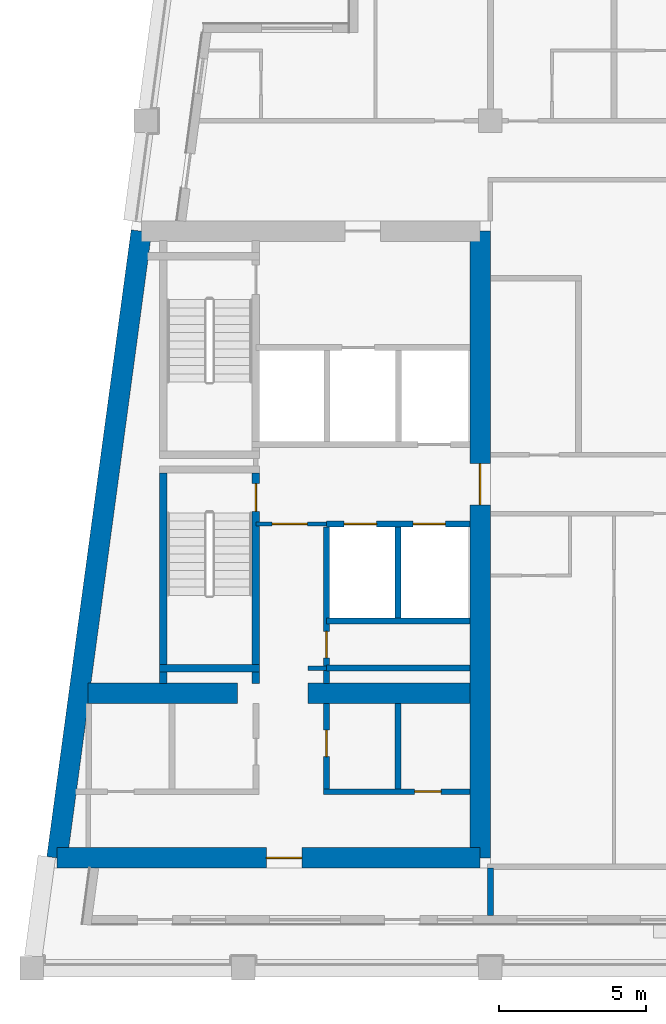
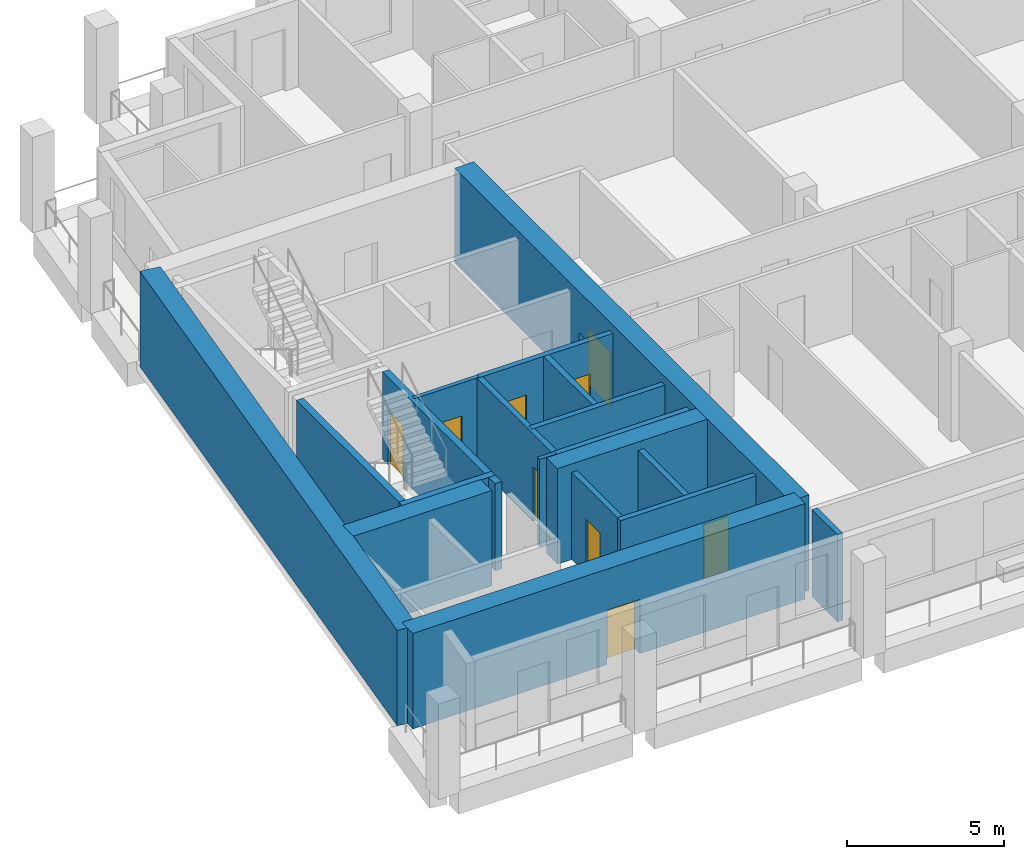
# One storey, part 2 of 13: 19 walls, 9 doors, 9 openings.
"""IFC4 building model written with IfcOpenShell, lengths in metres."""

from ifc_helpers import new_model, si_unit, direction, frame, frame_2d, origin, place, context, subcontext, project, spatial, rectangle, extrude, material, layer, layer_set, type_object, element, fill, save


model = new_model("IFC4")

# Units and contexts
model_context = context("Model", 3, precision=1e-05, world=origin(), true_north=direction((0.0, 1.0)))
body_context = subcontext(model_context, "Body", "Model", "MODEL_VIEW")
ifc_project = project(units=[si_unit("LENGTHUNIT", "METRE"), si_unit("AREAUNIT", "SQUARE_METRE"), si_unit("VOLUMEUNIT", "CUBIC_METRE"), si_unit("PLANEANGLEUNIT", "RADIAN"), si_unit("MASSUNIT", "GRAM", prefix="KILO")], contexts=[model_context])

# Site, building, storey
site_placement = place(None, origin())
site = spatial("IfcSite", under=ifc_project, at=site_placement, CompositionType="ELEMENT")
building_placement = place(site_placement, origin())
building = spatial("IfcBuilding", under=site, at=building_placement, Name="Candeia Pilgrim Tower and Theatre", CompositionType="ELEMENT")
storey_placement = place(building_placement, frame((0.0, 0.0, 277.5)))
storey = spatial("IfcBuildingStorey", under=building, at=storey_placement, Name="L67", CompositionType="ELEMENT", Elevation=277.5)

# Wall, opening, door
ifc_material_1 = material(Name="Concrete C40/50", Category="concrete")
ifc_layer_1 = layer(ifc_material_1, 0.699951171875)
ifc_layer_set_1 = layer_set([ifc_layer_1], Name="Core wall 700 C40/50")
wall_type_1 = type_object("IfcWallType", Name="Core wall 700 C40/50", PredefinedType="SHEAR", material=ifc_layer_set_1)
wall_1_placement = place(storey_placement, frame((100.449951171875, 132.050048828125, 0.0), z_axis=(0.0, 0.0, 1.0), x_axis=(0.0, -1.0, 0.0)))
wall_1 = element("IfcWall", 1, at=wall_1_placement, inside=storey, type_object=wall_type_1, Name="Core wall W2", PredefinedType="SHEAR", context=body_context, shape_type="SweptSolid", body=[
    extrude(rectangle(XDim=21.300048828125, YDim=0.699951171875, at=frame_2d((10.64990234375, 0.0))), origin(), (0.0, 0.0, 1.0), 3.699951171875),
])
opening_1_placement = place(wall_1_placement, frame((7.89990234375, 0.0, 0.0)))
opening_1 = element("IfcOpeningElement", 2, at=opening_1_placement, cuts=wall_1, Name="Opening L67-D049", PredefinedType="OPENING", context=body_context, shape_type="SweptSolid", body=[
    extrude(rectangle(XDim=1.39990234375, YDim=2.10009765625, at=frame_2d((0.699951171875, 1.050048828125))), frame((0.0, 0.35986328125, 0.0), z_axis=(0.0, -1.0, 0.0), x_axis=(1.0, 0.0, 0.0)), (0.0, 0.0, 1.0), 0.719970703125),
])
ifc_material_2 = material(Name="Steel fire door set", Category="steel")
door_type_1 = type_object("IfcDoorType", Name="D-1400-FD60", OperationType="NOTDEFINED", PredefinedType="DOOR", material=ifc_material_2)
door_1_placement = place(opening_1_placement, origin())
door_1 = element("IfcDoor", 3, at=door_1_placement, inside=storey, type_object=door_type_1, Name="Door L67-D049", OperationType="SINGLE_SWING_RIGHT", OverallHeight=2.10009765625, OverallWidth=1.39990234375, PredefinedType="DOOR", context=body_context, shape_type="SweptSolid", body=[
    extrude(rectangle(XDim=1.39990234375, YDim=2.10009765625, at=frame_2d((0.699951171875, 1.050048828125))), frame((0.0, 0.02490234375, 0.0), z_axis=(0.0, -1.0, 0.0), x_axis=(1.0, 0.0, 0.0)), (0.0, 0.0, 1.0), 0.050048828125),
])
fill(opening_1, door_1)

wall_2_placement = place(storey_placement, frame((100.449951171875, 110.75, 0.0), z_axis=(0.0, 0.0, 1.0), x_axis=(-1.0, 0.0, 0.0)))
wall_2 = element("IfcWall", 4, at=wall_2_placement, inside=storey, type_object=wall_type_1, Name="Core wall W3", PredefinedType="SHEAR", context=body_context, shape_type="SweptSolid", body=[
    extrude(rectangle(XDim=14.38037109375, YDim=0.699951171875, at=frame_2d((7.190185546875, 0.0))), origin(), (0.0, 0.0, 1.0), 3.699951171875),
])
opening_2_placement = place(wall_2_placement, frame((6.060302734375, 0.0, 0.0)))
opening_2 = element("IfcOpeningElement", 5, at=opening_2_placement, cuts=wall_2, Name="Opening L67-D046", PredefinedType="OPENING", context=body_context, shape_type="SweptSolid", body=[
    extrude(rectangle(XDim=1.199951171875, YDim=2.10009765625, at=frame_2d((0.60009765625, 1.050048828125))), frame((0.0, 0.35986328125, 0.0), z_axis=(0.0, -1.0, 0.0), x_axis=(1.0, 0.0, 0.0)), (0.0, 0.0, 1.0), 0.719970703125),
])
door_type_2 = type_object("IfcDoorType", Name="D-1200-FD60", OperationType="NOTDEFINED", PredefinedType="DOOR", material=ifc_material_2)
door_2_placement = place(opening_2_placement, origin())
door_2 = element("IfcDoor", 6, at=door_2_placement, inside=storey, type_object=door_type_2, Name="Door L67-D046", OperationType="SINGLE_SWING_LEFT", OverallHeight=2.10009765625, OverallWidth=1.199951171875, PredefinedType="DOOR", context=body_context, shape_type="SweptSolid", body=[
    extrude(rectangle(XDim=1.199951171875, YDim=2.10009765625, at=frame_2d((0.60009765625, 1.050048828125))), frame((0.0, 0.02490234375, 0.0), z_axis=(0.0, -1.0, 0.0), x_axis=(1.0, 0.0, 0.0)), (0.0, 0.0, 1.0), 0.050048828125),
])
fill(opening_2, door_2)

# Walls
wall_3_placement = place(storey_placement, frame((86.069580078125, 110.75, 0.0), z_axis=(0.0, 0.0, 1.0), x_axis=(0.133406218907, 0.991061441464, 0.0)))
element("IfcWall", 7, at=wall_3_placement, inside=storey, type_object=wall_type_1, Name="Core wall W4", PredefinedType="SHEAR", context=body_context, shape_type="SweptSolid", body=[
    extrude(rectangle(XDim=21.4921875, YDim=0.699951171875, at=frame_2d((10.74609375, 0.0))), origin(), (0.0, 0.0, 1.0), 3.699951171875),
])
wall_4_placement = place(storey_placement, frame((87.123046875, 116.35009765625, 0.0), z_axis=(0.0, 0.0, 1.0), x_axis=(1.0, 0.0, 0.0)))
element("IfcWall", 8, at=wall_4_placement, inside=storey, type_object=wall_type_1, Name="Core wall W5", PredefinedType="SHEAR", context=body_context, shape_type="SweptSolid", body=[
    extrude(rectangle(XDim=5.076904296875, YDim=0.699951171875, at=frame_2d((2.53857421875, 0.0))), origin(), (0.0, 0.0, 1.0), 3.699951171875),
])
wall_5_placement = place(storey_placement, frame((94.60009765625, 116.35009765625, 0.0), z_axis=(0.0, 0.0, 1.0), x_axis=(1.0, 0.0, 0.0)))
element("IfcWall", 9, at=wall_5_placement, inside=storey, type_object=wall_type_1, Name="Core wall W6", PredefinedType="SHEAR", context=body_context, shape_type="SweptSolid", body=[
    extrude(rectangle(XDim=5.5, YDim=0.699951171875, at=frame_2d((2.75, 0.0))), origin(), (0.0, 0.0, 1.0), 3.699951171875),
])
ifc_material_3 = material(Name="Gypsum board partition on steel studs", Category="steel")
ifc_layer_2 = layer(ifc_material_3, 0.14990234375)
ifc_layer_set_2 = layer_set([ifc_layer_2], Name="PW-150 lobby wall")
wall_type_2 = type_object("IfcWallType", Name="PW-150 lobby wall", PredefinedType="PARTITIONING", material=ifc_layer_set_2)
wall_6_placement = place(storey_placement, frame((94.60009765625, 117.199951171875, 0.0), z_axis=(0.0, 0.0, 1.0), x_axis=(1.0, 0.0, 0.0)))
element("IfcWall", 10, at=wall_6_placement, inside=storey, type_object=wall_type_2, Name="Lobby wall L67-008", PredefinedType="PARTITIONING", context=body_context, shape_type="SweptSolid", body=[
    extrude(rectangle(XDim=0.626953125, YDim=0.14990234375, at=frame_2d((0.3134765625, 0.0))), origin(), (0.0, 0.0, 1.0), 3.3798828125),
])

# Wall, opening, door
wall_7_placement = place(storey_placement, frame((92.826904296875, 122.10009765625, 0.0), z_axis=(0.0, 0.0, 1.0), x_axis=(1.0, 0.0, 0.0)))
wall_7 = element("IfcWall", 11, at=wall_7_placement, inside=storey, type_object=wall_type_2, Name="Lobby wall L67-021", PredefinedType="PARTITIONING", context=body_context, shape_type="SweptSolid", body=[
    extrude(rectangle(XDim=2.400146484375, YDim=0.14990234375, at=frame_2d((1.2001953125, 0.0))), origin(), (0.0, 0.0, 1.0), 3.3798828125),
])
opening_3_placement = place(wall_7_placement, frame((0.550048828125, 0.0, 0.0)))
opening_3 = element("IfcOpeningElement", 12, at=opening_3_placement, cuts=wall_7, Name="Opening L67-D001", PredefinedType="OPENING", context=body_context, shape_type="SweptSolid", body=[
    extrude(rectangle(XDim=1.199951171875, YDim=2.10009765625, at=frame_2d((0.60009765625, 1.050048828125))), frame((0.0, 0.0849609375, 0.0), z_axis=(0.0, -1.0, 0.0), x_axis=(1.0, 0.0, 0.0)), (0.0, 0.0, 1.0), 0.169921875),
])
door_3_placement = place(opening_3_placement, origin())
door_3 = element("IfcDoor", 13, at=door_3_placement, inside=storey, type_object=door_type_2, Name="Door L67-D001", OperationType="SINGLE_SWING_RIGHT", OverallHeight=2.10009765625, OverallWidth=1.199951171875, PredefinedType="DOOR", context=body_context, shape_type="SweptSolid", body=[
    extrude(rectangle(XDim=1.199951171875, YDim=2.10009765625, at=frame_2d((0.60009765625, 1.050048828125))), frame((0.0, 0.02490234375, 0.0), z_axis=(0.0, -1.0, 0.0), x_axis=(1.0, 0.0, 0.0)), (0.0, 0.0, 1.0), 0.050048828125),
])
fill(opening_3, door_3)

# Wall
ifc_layer_3 = layer(ifc_material_3, 0.199951171875)
ifc_layer_set_3 = layer_set([ifc_layer_3], Name="PW-200 party wall")
wall_type_3 = type_object("IfcWallType", Name="PW-200 party wall", PredefinedType="PARTITIONING", material=ifc_layer_set_3)
wall_8_placement = place(storey_placement, frame((100.800048828125, 108.7900390625, 0.0), z_axis=(0.0, 0.0, 1.0), x_axis=(0.0, 1.0, 0.0)))
element("IfcWall", 14, at=wall_8_placement, inside=storey, type_object=wall_type_3, Name="Party wall L67-061", PredefinedType="PARTITIONING", context=body_context, shape_type="SweptSolid", body=[
    extrude(rectangle(XDim=1.60986328125, YDim=0.199951171875, at=frame_2d((0.804931640625, 0.0))), origin(), (0.0, 0.0, 1.0), 3.3798828125),
])

# Wall, opening, door
ifc_layer_4 = layer(ifc_material_1, 0.199951171875)
ifc_layer_set_4 = layer_set([ifc_layer_4], Name="SW-200 shaft wall")
wall_type_4 = type_object("IfcWallType", Name="SW-200 shaft wall", PredefinedType="PARTITIONING", material=ifc_layer_set_4)
wall_9_placement = place(storey_placement, frame((95.126953125, 113.0, 0.0), z_axis=(0.0, 0.0, 1.0), x_axis=(1.0, 0.0, 0.0)))
wall_9 = element("IfcWall", 15, at=wall_9_placement, inside=storey, type_object=wall_type_4, Name="Shaft wall L67-003", PredefinedType="PARTITIONING", context=body_context, shape_type="SweptSolid", body=[
    extrude(rectangle(XDim=4.97314453125, YDim=0.199951171875, at=frame_2d((2.486572265625, 0.0))), origin(), (0.0, 0.0, 1.0), 3.3798828125),
])
opening_4_placement = place(wall_9_placement, frame((3.095947265625, 0.0, 0.0)))
opening_4 = element("IfcOpeningElement", 16, at=opening_4_placement, cuts=wall_9, Name="Opening L67-D008", PredefinedType="OPENING", context=body_context, shape_type="SweptSolid", body=[
    extrude(rectangle(XDim=0.89990234375, YDim=2.10009765625, at=frame_2d((0.449951171875, 1.050048828125))), frame((0.0, 0.10986328125, 0.0), z_axis=(0.0, -1.0, 0.0), x_axis=(1.0, 0.0, 0.0)), (0.0, 0.0, 1.0), 0.219970703125),
])
door_type_3 = type_object("IfcDoorType", Name="D-900-FD60", OperationType="NOTDEFINED", PredefinedType="DOOR", material=ifc_material_2)
door_4_placement = place(opening_4_placement, origin())
door_4 = element("IfcDoor", 17, at=door_4_placement, inside=storey, type_object=door_type_3, Name="Door L67-D008", OperationType="SINGLE_SWING_LEFT", OverallHeight=2.10009765625, OverallWidth=0.89990234375, PredefinedType="DOOR", context=body_context, shape_type="SweptSolid", body=[
    extrude(rectangle(XDim=0.89990234375, YDim=2.10009765625, at=frame_2d((0.449951171875, 1.050048828125))), frame((0.0, 0.02490234375, 0.0), z_axis=(0.0, -1.0, 0.0), x_axis=(1.0, 0.0, 0.0)), (0.0, 0.0, 1.0), 0.050048828125),
])
fill(opening_4, door_4)

# Walls
for number, where, z_axis, x_axis, name in (
    (18, (95.22705078125, 117.199951171875, 0.0), (0.0, 0.0, 1.0), (1.0, 0.0, 0.0), "Shaft wall L67-006"),
    (19, (95.22705078125, 118.800048828125, 0.0), (0.0, 0.0, 1.0), (1.0, 0.0, 0.0), "Shaft wall L67-012"),
):
    element("IfcWall", number, at=place(storey_placement, frame(where, z_axis=z_axis, x_axis=x_axis)), inside=storey, type_object=wall_type_4, Name=name, PredefinedType="PARTITIONING", context=body_context, shape_type="SweptSolid", body=[
        extrude(rectangle(XDim=4.873046875, YDim=0.199951171875, at=frame_2d((2.4365234375, 0.0))), origin(), (0.0, 0.0, 1.0), 3.3798828125),
    ])

# Wall, openings, doors
wall_10_placement = place(storey_placement, frame((95.22705078125, 122.10009765625, 0.0), z_axis=(0.0, 0.0, 1.0), x_axis=(1.0, 0.0, 0.0)))
wall_10 = element("IfcWall", 20, at=wall_10_placement, inside=storey, type_object=wall_type_4, Name="Shaft wall L67-019", PredefinedType="PARTITIONING", context=body_context, shape_type="SweptSolid", body=[
    extrude(rectangle(XDim=4.873046875, YDim=0.199951171875, at=frame_2d((2.4365234375, 0.0))), origin(), (0.0, 0.0, 1.0), 3.3798828125),
])
opening_5_placement = place(wall_10_placement, frame((0.60498046875, 0.0, 0.0)))
opening_5 = element("IfcOpeningElement", 21, at=opening_5_placement, cuts=wall_10, Name="Opening L67-LD01", PredefinedType="OPENING", context=body_context, shape_type="SweptSolid", body=[
    extrude(rectangle(XDim=1.10009765625, YDim=2.10009765625, at=frame_2d((0.550048828125, 1.050048828125))), frame((0.0, 0.10986328125, 0.0), z_axis=(0.0, -1.0, 0.0), x_axis=(1.0, 0.0, 0.0)), (0.0, 0.0, 1.0), 0.219970703125),
])
opening_6_placement = place(wall_10_placement, frame((2.946044921875, 0.0, 0.0)))
opening_6 = element("IfcOpeningElement", 22, at=opening_6_placement, cuts=wall_10, Name="Opening L67-LD02", PredefinedType="OPENING", context=body_context, shape_type="SweptSolid", body=[
    extrude(rectangle(XDim=1.10009765625, YDim=2.10009765625, at=frame_2d((0.550048828125, 1.050048828125))), frame((0.0, 0.10986328125, 0.0), z_axis=(0.0, -1.0, 0.0), x_axis=(1.0, 0.0, 0.0)), (0.0, 0.0, 1.0), 0.219970703125),
])
ifc_material_4 = material(Name="Glazed aluminium landing door", Category="aluminium")
door_type_4 = type_object("IfcDoorType", Name="LD-1100-EI120", OperationType="SLIDING_TO_LEFT", PredefinedType="DOOR", material=ifc_material_4)
door_5_placement = place(opening_5_placement, origin())
door_5 = element("IfcDoor", 23, at=door_5_placement, inside=storey, type_object=door_type_4, Name="Landing door 01 L67", OperationType="SLIDING_TO_LEFT", OverallHeight=2.10009765625, OverallWidth=1.10009765625, PredefinedType="DOOR", context=body_context, shape_type="SweptSolid", body=[
    extrude(rectangle(XDim=1.10009765625, YDim=2.10009765625, at=frame_2d((0.550048828125, 1.050048828125))), frame((0.0, 0.02490234375, 0.0), z_axis=(0.0, -1.0, 0.0), x_axis=(1.0, 0.0, 0.0)), (0.0, 0.0, 1.0), 0.050048828125),
])
fill(opening_5, door_5)
door_6_placement = place(opening_6_placement, origin())
door_6 = element("IfcDoor", 24, at=door_6_placement, inside=storey, type_object=door_type_4, Name="Landing door 02 L67", OperationType="SLIDING_TO_LEFT", OverallHeight=2.10009765625, OverallWidth=1.10009765625, PredefinedType="DOOR", context=body_context, shape_type="SweptSolid", body=[
    extrude(rectangle(XDim=1.10009765625, YDim=2.10009765625, at=frame_2d((0.550048828125, 1.050048828125))), frame((0.0, 0.02490234375, 0.0), z_axis=(0.0, -1.0, 0.0), x_axis=(1.0, 0.0, 0.0)), (0.0, 0.0, 1.0), 0.050048828125),
])
fill(opening_6, door_6)

# Wall, opening, door
wall_11_placement = place(storey_placement, frame((95.22705078125, 113.10009765625, 0.0), z_axis=(0.0, 0.0, 1.0), x_axis=(0.0, 1.0, 0.0)))
wall_11 = element("IfcWall", 25, at=wall_11_placement, inside=storey, type_object=wall_type_4, Name="Shaft wall L67-054", PredefinedType="PARTITIONING", context=body_context, shape_type="SweptSolid", body=[
    extrude(rectangle(XDim=2.89990234375, YDim=0.199951171875, at=frame_2d((1.449951171875, 0.0))), origin(), (0.0, 0.0, 1.0), 3.3798828125),
])
opening_7_placement = place(wall_11_placement, frame((1.090087890625, 0.0, 0.0)))
opening_7 = element("IfcOpeningElement", 26, at=opening_7_placement, cuts=wall_11, Name="Opening L67-D007", PredefinedType="OPENING", context=body_context, shape_type="SweptSolid", body=[
    extrude(rectangle(XDim=0.89990234375, YDim=2.10009765625, at=frame_2d((0.449951171875, 1.050048828125))), frame((0.0, 0.10986328125, 0.0), z_axis=(0.0, -1.0, 0.0), x_axis=(1.0, 0.0, 0.0)), (0.0, 0.0, 1.0), 0.219970703125),
])
door_7_placement = place(opening_7_placement, origin())
door_7 = element("IfcDoor", 27, at=door_7_placement, inside=storey, type_object=door_type_3, Name="Door L67-D007", OperationType="SINGLE_SWING_RIGHT", OverallHeight=2.10009765625, OverallWidth=0.89990234375, PredefinedType="DOOR", context=body_context, shape_type="SweptSolid", body=[
    extrude(rectangle(XDim=0.89990234375, YDim=2.10009765625, at=frame_2d((0.449951171875, 1.050048828125))), frame((0.0, 0.02490234375, 0.0), z_axis=(0.0, -1.0, 0.0), x_axis=(1.0, 0.0, 0.0)), (0.0, 0.0, 1.0), 0.050048828125),
])
fill(opening_7, door_7)

wall_12_placement = place(storey_placement, frame((95.22705078125, 116.669921875, 0.0), z_axis=(0.0, 0.0, 1.0), x_axis=(0.0, 1.0, 0.0)))
wall_12 = element("IfcWall", 28, at=wall_12_placement, inside=storey, type_object=wall_type_4, Name="Shaft wall L67-055", PredefinedType="PARTITIONING", context=body_context, shape_type="SweptSolid", body=[
    extrude(rectangle(XDim=5.330078125, YDim=0.199951171875, at=frame_2d((2.6650390625, 0.0))), origin(), (0.0, 0.0, 1.0), 3.3798828125),
])
opening_8_placement = place(wall_12_placement, frame((0.8798828125, 0.0, 0.0)))
opening_8 = element("IfcOpeningElement", 29, at=opening_8_placement, cuts=wall_12, Name="Opening L67-D004", PredefinedType="OPENING", context=body_context, shape_type="SweptSolid", body=[
    extrude(rectangle(XDim=0.89990234375, YDim=2.10009765625, at=frame_2d((0.449951171875, 1.050048828125))), frame((0.0, 0.10986328125, 0.0), z_axis=(0.0, -1.0, 0.0), x_axis=(1.0, 0.0, 0.0)), (0.0, 0.0, 1.0), 0.219970703125),
])
door_8_placement = place(opening_8_placement, origin())
door_8 = element("IfcDoor", 30, at=door_8_placement, inside=storey, type_object=door_type_3, Name="Door L67-D004", OperationType="SINGLE_SWING_LEFT", OverallHeight=2.10009765625, OverallWidth=0.89990234375, PredefinedType="DOOR", context=body_context, shape_type="SweptSolid", body=[
    extrude(rectangle(XDim=0.89990234375, YDim=2.10009765625, at=frame_2d((0.449951171875, 1.050048828125))), frame((0.0, 0.02490234375, 0.0), z_axis=(0.0, -1.0, 0.0), x_axis=(1.0, 0.0, 0.0)), (0.0, 0.0, 1.0), 0.050048828125),
])
fill(opening_8, door_8)

# Walls
wall_13_placement = place(storey_placement, frame((97.66357421875, 113.10009765625, 0.0), z_axis=(0.0, 0.0, 1.0), x_axis=(0.0, 1.0, 0.0)))
element("IfcWall", 31, at=wall_13_placement, inside=storey, type_object=wall_type_4, Name="Shaft wall L67-058", PredefinedType="PARTITIONING", context=body_context, shape_type="SweptSolid", body=[
    extrude(rectangle(XDim=2.89990234375, YDim=0.199951171875, at=frame_2d((1.449951171875, 0.0))), origin(), (0.0, 0.0, 1.0), 3.3798828125),
])
wall_14_placement = place(storey_placement, frame((97.66357421875, 118.89990234375, 0.0), z_axis=(0.0, 0.0, 1.0), x_axis=(0.0, 1.0, 0.0)))
element("IfcWall", 32, at=wall_14_placement, inside=storey, type_object=wall_type_4, Name="Shaft wall L67-059", PredefinedType="PARTITIONING", context=body_context, shape_type="SweptSolid", body=[
    extrude(rectangle(XDim=3.10009765625, YDim=0.199951171875, at=frame_2d((1.550048828125, 0.0))), origin(), (0.0, 0.0, 1.0), 3.3798828125),
])
ifc_layer_5 = layer(ifc_material_1, 0.25)
ifc_layer_set_5 = layer_set([ifc_layer_5], Name="SW-250 stair wall")
wall_type_5 = type_object("IfcWallType", Name="SW-250 stair wall", PredefinedType="PARTITIONING", material=ifc_layer_set_5)
wall_15_placement = place(storey_placement, frame((89.552001953125, 117.199951171875, 0.0), z_axis=(0.0, 0.0, 1.0), x_axis=(1.0, 0.0, 0.0)))
element("IfcWall", 33, at=wall_15_placement, inside=storey, type_object=wall_type_5, Name="Stair wall L67-010", PredefinedType="PARTITIONING", context=body_context, shape_type="SweptSolid", body=[
    extrude(rectangle(XDim=3.39990234375, YDim=0.25, at=frame_2d((1.699951171875, 0.0))), origin(), (0.0, 0.0, 1.0), 3.3798828125),
])
wall_16_placement = place(storey_placement, frame((89.677001953125, 116.669921875, 0.0), z_axis=(0.0, 0.0, 1.0), x_axis=(0.0, 1.0, 0.0)))
element("IfcWall", 34, at=wall_16_placement, inside=storey, type_object=wall_type_5, Name="Stair wall L67-046", PredefinedType="PARTITIONING", context=body_context, shape_type="SweptSolid", body=[
    extrude(rectangle(XDim=7.155029296875, YDim=0.25, at=frame_2d((3.57763671875, 0.0))), origin(), (0.0, 0.0, 1.0), 3.3798828125),
])

# Wall, opening, door
wall_17_placement = place(storey_placement, frame((92.826904296875, 116.669921875, 0.0), z_axis=(0.0, 0.0, 1.0), x_axis=(0.0, 1.0, 0.0)))
wall_17 = element("IfcWall", 35, at=wall_17_placement, inside=storey, type_object=wall_type_5, Name="Stair wall L67-051", PredefinedType="PARTITIONING", context=body_context, shape_type="SweptSolid", body=[
    extrude(rectangle(XDim=7.155029296875, YDim=0.25, at=frame_2d((3.57763671875, 0.0))), origin(), (0.0, 0.0, 1.0), 3.3798828125),
])
opening_9_placement = place(wall_17_placement, frame((5.85498046875, 0.0, 0.0)))
opening_9 = element("IfcOpeningElement", 36, at=opening_9_placement, cuts=wall_17, Name="Opening L67-D002", PredefinedType="OPENING", context=body_context, shape_type="SweptSolid", body=[
    extrude(rectangle(XDim=0.949951171875, YDim=2.10009765625, at=frame_2d((0.47509765625, 1.050048828125))), frame((0.0, 0.135009765625, 0.0), z_axis=(0.0, -1.0, 0.0), x_axis=(1.0, 0.0, 0.0)), (0.0, 0.0, 1.0), 0.27001953125),
])
door_type_5 = type_object("IfcDoorType", Name="D-950-FD60", OperationType="NOTDEFINED", PredefinedType="DOOR", material=ifc_material_2)
door_9_placement = place(opening_9_placement, origin())
door_9 = element("IfcDoor", 37, at=door_9_placement, inside=storey, type_object=door_type_5, Name="Door L67-D002", OperationType="SINGLE_SWING_LEFT", OverallHeight=2.10009765625, OverallWidth=0.949951171875, PredefinedType="DOOR", context=body_context, shape_type="SweptSolid", body=[
    extrude(rectangle(XDim=0.949951171875, YDim=2.10009765625, at=frame_2d((0.47509765625, 1.050048828125))), frame((0.0, 0.02490234375, 0.0), z_axis=(0.0, -1.0, 0.0), x_axis=(1.0, 0.0, 0.0)), (0.0, 0.0, 1.0), 0.050048828125),
])
fill(opening_9, door_9)

save(model, "model.ifc")
